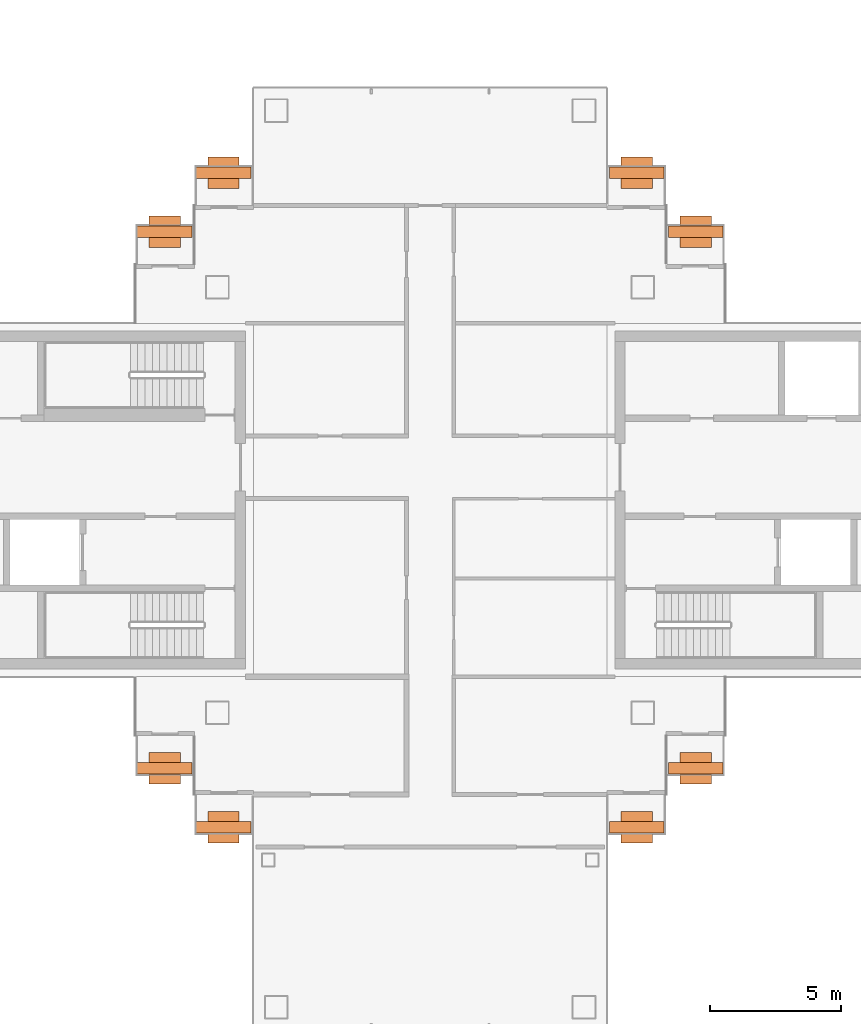
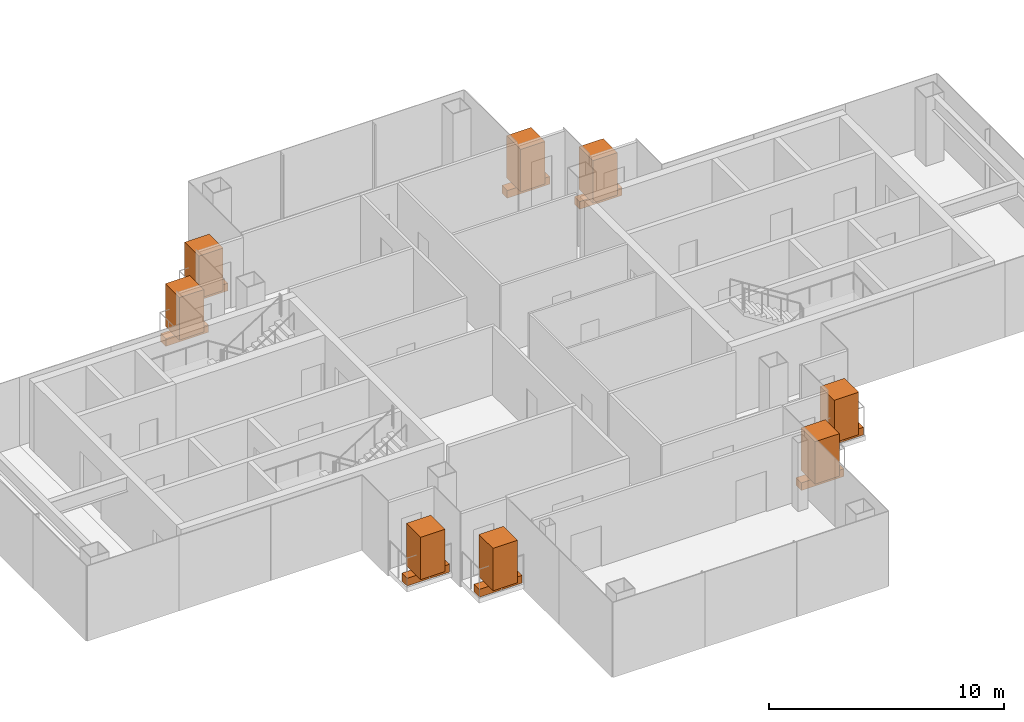
# One storey, part 16 of 16: 8 geographic elements, 8 proxies.
"""IFC4 building model written with IfcOpenShell, lengths in metres."""

from ifc_helpers import new_model, si_unit, direction, frame, origin, origin_2d, place, context, subcontext, project, spatial, rectangle, extrude, material, type_object, element, save


model = new_model("IFC4")

# Units and contexts
model_context = context("Model", 3, precision=1e-05, world=origin(), true_north=direction((0.0, 1.0)))
body_context = subcontext(model_context, "Body", "Model", "MODEL_VIEW")
ifc_project = project(units=[si_unit("LENGTHUNIT", "METRE"), si_unit("AREAUNIT", "SQUARE_METRE"), si_unit("VOLUMEUNIT", "CUBIC_METRE"), si_unit("PLANEANGLEUNIT", "RADIAN"), si_unit("MASSUNIT", "GRAM", prefix="KILO")], contexts=[model_context])

# Site, building, storey
site_placement = place(None, origin())
site = spatial("IfcSite", under=ifc_project, at=site_placement, CompositionType="ELEMENT")
building_placement = place(site_placement, origin())
building = spatial("IfcBuilding", under=site, at=building_placement, Name="Shamsa Quay Exchange Towers", CompositionType="ELEMENT")
storey_placement = place(building_placement, frame((0.0, 0.0, 261.60009765625)))
storey = spatial("IfcBuildingStorey", under=building, at=storey_placement, Name="L63", CompositionType="ELEMENT", Elevation=261.60009765625)

# Proxies
ifc_material_1 = material(Name="Reinforced concrete C30/37, black glass-fibre faced", Category="concrete")
building_element_proxy_type = type_object("IfcBuildingElementProxyType", Name="BALCONY PLANTER", PredefinedType="USERDEFINED", material=ifc_material_1)
for number, where, z_axis, x_axis, name in (
    (1, (-23.60595703125, 10.2451171875, 0.0), (0.0, 0.0, 1.0), (-1.0, 0.0, 0.0), "PLANTER T1-PKEN L63"),
    (2, (-25.85595703125, 12.4951171875, 0.0), (0.0, 0.0, 1.0), (-1.0, 0.0, 0.0), "PLANTER T1-PKEN L63"),
):
    element("IfcBuildingElementProxy", number, at=place(storey_placement, frame(where, z_axis=z_axis, x_axis=x_axis)), inside=storey, type_object=building_element_proxy_type, Name=name, ObjectType="PLANTER", PredefinedType="USERDEFINED", context=body_context, shape_type="SweptSolid", body=[
        extrude(rectangle(XDim=2.092041015625, YDim=0.449951171875, at=origin_2d()), origin(), (0.0, 0.0, 1.0), 0.39990234375),
    ])
for number, where, name in (
    (3, (-23.60595703125, -10.2451171875, 0.0), "PLANTER T1-PKES L63"),
    (4, (-25.85595703125, -12.4951171875, 0.0), "PLANTER T1-PKES L63"),
):
    element("IfcBuildingElementProxy", number, at=place(storey_placement, frame(where)), inside=storey, type_object=building_element_proxy_type, Name=name, ObjectType="PLANTER", PredefinedType="USERDEFINED", context=body_context, shape_type="SweptSolid", body=[
        extrude(rectangle(XDim=2.092041015625, YDim=0.449951171875, at=origin_2d()), origin(), (0.0, 0.0, 1.0), 0.39990234375),
    ])
for number, where, z_axis, x_axis, name in (
    (5, (-41.64404296875, 12.4951171875, 0.0), (0.0, 0.0, 1.0), (-1.0, 0.0, 0.0), "PLANTER T1-PKWN L63"),
    (6, (-43.89404296875, 10.2451171875, 0.0), (0.0, 0.0, 1.0), (-1.0, 0.0, 0.0), "PLANTER T1-PKWN L63"),
):
    element("IfcBuildingElementProxy", number, at=place(storey_placement, frame(where, z_axis=z_axis, x_axis=x_axis)), inside=storey, type_object=building_element_proxy_type, Name=name, ObjectType="PLANTER", PredefinedType="USERDEFINED", context=body_context, shape_type="SweptSolid", body=[
        extrude(rectangle(XDim=2.092041015625, YDim=0.449951171875, at=origin_2d()), origin(), (0.0, 0.0, 1.0), 0.39990234375),
    ])
for number, where, name in (
    (7, (-43.89404296875, -10.2451171875, 0.0), "PLANTER T1-PKWS L63"),
    (8, (-41.64404296875, -12.4951171875, 0.0), "PLANTER T1-PKWS L63"),
):
    element("IfcBuildingElementProxy", number, at=place(storey_placement, frame(where)), inside=storey, type_object=building_element_proxy_type, Name=name, ObjectType="PLANTER", PredefinedType="USERDEFINED", context=body_context, shape_type="SweptSolid", body=[
        extrude(rectangle(XDim=2.092041015625, YDim=0.449951171875, at=origin_2d()), origin(), (0.0, 0.0, 1.0), 0.39990234375),
    ])

# Geographic elements
ifc_material_2 = material(Name="Planting")
geographic_element_type = type_object("IfcGeographicElementType", Name="BALCONY TREE", PredefinedType="USERDEFINED", material=ifc_material_2)
for number, where, z_axis, x_axis, name in (
    (9, (-23.60595703125, 10.2451171875, 0.39990234375), (0.0, 0.0, 1.0), (-1.0, 0.0, 0.0), "TREE T1-PKEN L63"),
    (10, (-25.85595703125, 12.4951171875, 0.39990234375), (0.0, 0.0, 1.0), (-1.0, 0.0, 0.0), "TREE T1-PKEN L63"),
):
    element("IfcGeographicElement", number, at=place(storey_placement, frame(where, z_axis=z_axis, x_axis=x_axis)), inside=storey, type_object=geographic_element_type, Name=name, ObjectType="TREE", PredefinedType="USERDEFINED", context=body_context, shape_type="SweptSolid", body=[
        extrude(rectangle(XDim=1.199951171875, YDim=1.199951171875, at=origin_2d()), origin(), (0.0, 0.0, 1.0), 2.199951171875),
    ])
for number, where, name in (
    (11, (-23.60595703125, -10.2451171875, 0.39990234375), "TREE T1-PKES L63"),
    (12, (-25.85595703125, -12.4951171875, 0.39990234375), "TREE T1-PKES L63"),
):
    element("IfcGeographicElement", number, at=place(storey_placement, frame(where)), inside=storey, type_object=geographic_element_type, Name=name, ObjectType="TREE", PredefinedType="USERDEFINED", context=body_context, shape_type="SweptSolid", body=[
        extrude(rectangle(XDim=1.199951171875, YDim=1.199951171875, at=origin_2d()), origin(), (0.0, 0.0, 1.0), 2.199951171875),
    ])
for number, where, z_axis, x_axis, name in (
    (13, (-41.64404296875, 12.4951171875, 0.39990234375), (0.0, 0.0, 1.0), (-1.0, 0.0, 0.0), "TREE T1-PKWN L63"),
    (14, (-43.89404296875, 10.2451171875, 0.39990234375), (0.0, 0.0, 1.0), (-1.0, 0.0, 0.0), "TREE T1-PKWN L63"),
):
    element("IfcGeographicElement", number, at=place(storey_placement, frame(where, z_axis=z_axis, x_axis=x_axis)), inside=storey, type_object=geographic_element_type, Name=name, ObjectType="TREE", PredefinedType="USERDEFINED", context=body_context, shape_type="SweptSolid", body=[
        extrude(rectangle(XDim=1.199951171875, YDim=1.199951171875, at=origin_2d()), origin(), (0.0, 0.0, 1.0), 2.199951171875),
    ])
for number, where, name in (
    (15, (-43.89404296875, -10.2451171875, 0.39990234375), "TREE T1-PKWS L63"),
    (16, (-41.64404296875, -12.4951171875, 0.39990234375), "TREE T1-PKWS L63"),
):
    element("IfcGeographicElement", number, at=place(storey_placement, frame(where)), inside=storey, type_object=geographic_element_type, Name=name, ObjectType="TREE", PredefinedType="USERDEFINED", context=body_context, shape_type="SweptSolid", body=[
        extrude(rectangle(XDim=1.199951171875, YDim=1.199951171875, at=origin_2d()), origin(), (0.0, 0.0, 1.0), 2.199951171875),
    ])

save(model, "model.ifc")
